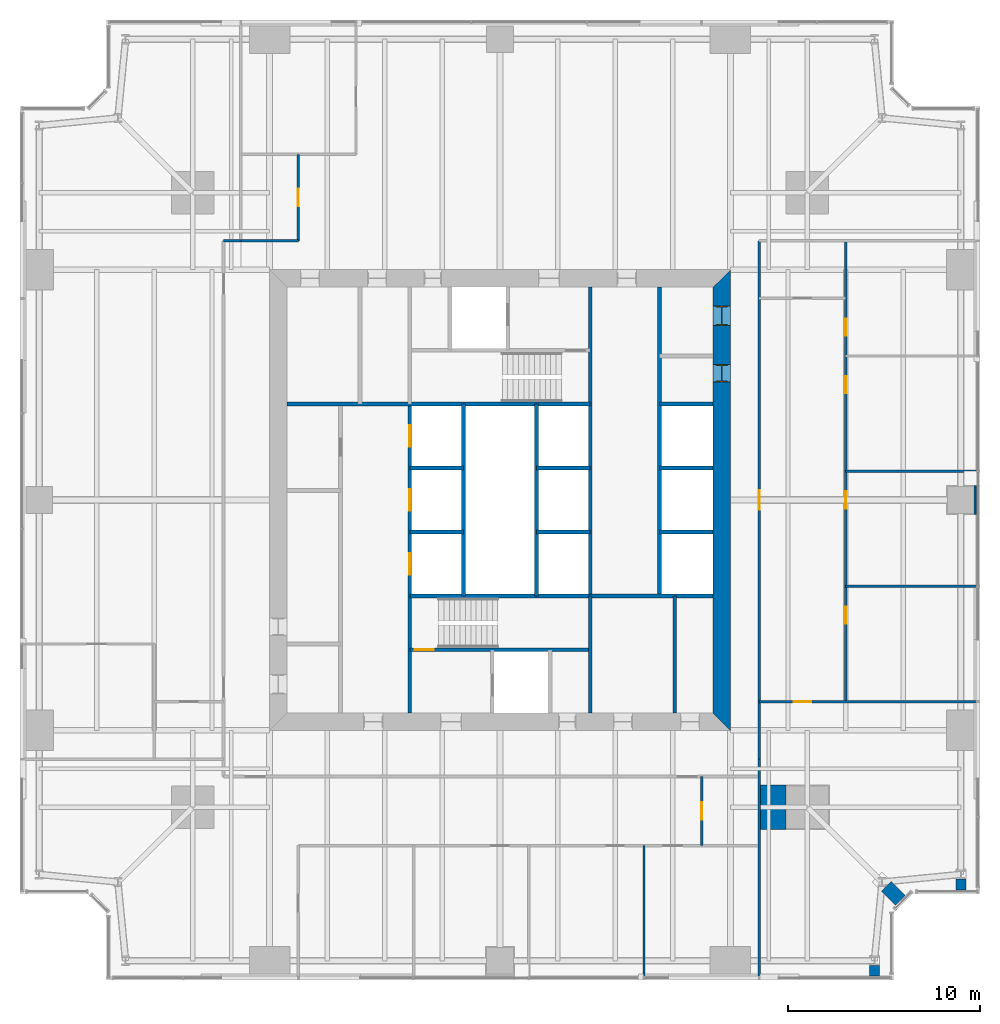
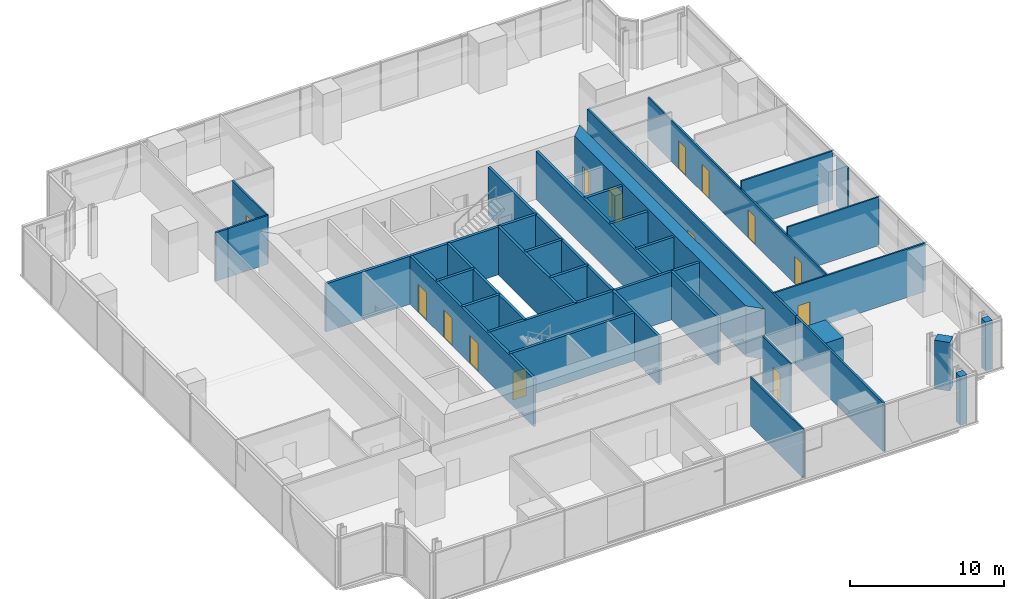
# One storey, part 10 of 13: 34 walls, 14 doors, 14 openings.
"""IFC4 building model written with IfcOpenShell, lengths in metres."""

from ifc_helpers import new_model, si_unit, direction, frame, frame_2d, origin, place, context, subcontext, project, spatial, polyline, rectangle, outline, extrude, material, layer, layer_set, type_object, element, fill, save


model = new_model("IFC4")

# Units and contexts
model_context = context("Model", 3, precision=1e-05, world=origin(), true_north=direction((0.0, 1.0)))
body_context = subcontext(model_context, "Body", "Model", "MODEL_VIEW")
ifc_project = project(units=[si_unit("LENGTHUNIT", "METRE"), si_unit("AREAUNIT", "SQUARE_METRE"), si_unit("VOLUMEUNIT", "CUBIC_METRE"), si_unit("PLANEANGLEUNIT", "RADIAN"), si_unit("MASSUNIT", "GRAM", prefix="KILO")], contexts=[model_context])

# Site, building, storey
site_placement = place(None, origin())
site = spatial("IfcSite", under=ifc_project, at=site_placement, CompositionType="ELEMENT")
building_placement = place(site_placement, origin())
building = spatial("IfcBuilding", under=site, at=building_placement, Name="Fenwick Lantern Interchange", CompositionType="ELEMENT")
storey_placement = place(building_placement, frame((0.0, 0.0, 126.39990234375)))
storey = spatial("IfcBuildingStorey", under=building, at=storey_placement, Name="L29", CompositionType="ELEMENT", Elevation=126.39990234375)

# Walls
ifc_material_1 = material(Name="Fire-rated gypsum board encasement on steel studs, 2 hour", Category="steel")
ifc_layer_1 = layer(ifc_material_1, 1.5)
ifc_layer_set_1 = layer_set([ifc_layer_1], Name="COLUMN PIER 1500")
wall_type_1 = type_object("IfcWallType", Name="COLUMN PIER 1500", PredefinedType="PARTITIONING", material=ifc_layer_set_1)
wall_1_placement = place(storey_placement, frame((49.800048828125, 25.0, 0.0), z_axis=(0.0, 0.0, 1.0), x_axis=(-1.0, 0.0, 0.0)))
element("IfcWall", 1, at=wall_1_placement, inside=storey, type_object=wall_type_1, Name="L29/W/PIER/CE3", PredefinedType="PARTITIONING", context=body_context, shape_type="SweptSolid", body=[
    extrude(rectangle(XDim=0.10009765625, YDim=1.5, at=frame_2d((0.050048828125, 0.0))), origin(), (0.0, 0.0, 1.0), 3.85009765625),
])
ifc_layer_2 = layer(ifc_material_1, 2.300048828125)
ifc_layer_set_2 = layer_set([ifc_layer_2], Name="COLUMN PIER 2300")
wall_type_2 = type_object("IfcWallType", Name="COLUMN PIER 2300", PredefinedType="PARTITIONING", material=ifc_layer_set_2)
wall_2_placement = place(storey_placement, frame((38.574951171875, 9.0, 0.0), z_axis=(0.0, 0.0, 1.0), x_axis=(1.0, 0.0, 0.0)))
element("IfcWall", 2, at=wall_2_placement, inside=storey, type_object=wall_type_2, Name="L29/W/PIER/M2", PredefinedType="PARTITIONING", context=body_context, shape_type="SweptSolid", body=[
    extrude(rectangle(XDim=1.324951171875, YDim=2.300048828125, at=frame_2d((0.66259765625, 0.0))), origin(), (0.0, 0.0, 1.0), 3.85009765625),
])
ifc_layer_3 = layer(ifc_material_1, 0.52392578125)
ifc_layer_set_3 = layer_set([ifc_layer_3], Name="COLUMN PIER 524")
wall_type_3 = type_object("IfcWallType", Name="COLUMN PIER 524", PredefinedType="PARTITIONING", material=ifc_layer_set_3)
for number, where, z_axis, x_axis, name in (
    (3, (44.5, 0.199951171875, 0.0), (0.0, 0.0, 1.0), (0.0, 1.0, 0.0), "L29/W/PIER/CS5"),
    (4, (49.0, 4.699951171875, 0.0), (0.0, 0.0, 1.0), (0.0, 1.0, 0.0), "L29/W/PIER/CE1"),
):
    element("IfcWall", number, at=place(storey_placement, frame(where, z_axis=z_axis, x_axis=x_axis)), inside=storey, type_object=wall_type_3, Name=name, PredefinedType="PARTITIONING", context=body_context, shape_type="SweptSolid", body=[
        extrude(rectangle(XDim=0.5625, YDim=0.52392578125, at=frame_2d((0.28125, 0.0))), origin(), (0.0, 0.0, 1.0), 3.85009765625),
    ])
ifc_layer_4 = layer(ifc_material_1, 0.736083984375)
ifc_layer_set_4 = layer_set([ifc_layer_4], Name="COLUMN PIER 736")
wall_type_4 = type_object("IfcWallType", Name="COLUMN PIER 736", PredefinedType="PARTITIONING", material=ifc_layer_set_4)
wall_3_placement = place(storey_placement, frame((45.858642578125, 4.141357421875, 0.0), z_axis=(0.0, 0.0, 1.0), x_axis=(-0.707106781187, 0.707106781187, 0.0)))
element("IfcWall", 5, at=wall_3_placement, inside=storey, type_object=wall_type_4, Name="L29/W/PIER/CSR", PredefinedType="PARTITIONING", context=body_context, shape_type="SweptSolid", body=[
    extrude(rectangle(XDim=1.037841796875, YDim=0.736083984375, at=frame_2d((0.51904296875, 0.0))), origin(), (0.0, 0.0, 1.0), 3.85009765625),
])
ifc_material_2 = material(Name="Concrete masonry ASTM C90 Grade N", Category="masonry")
ifc_layer_5 = layer(ifc_material_2, 0.199951171875)
ifc_layer_set_5 = layer_set([ifc_layer_5], Name="Concrete masonry ASTM C90 Grade N")
wall_type_5 = type_object("IfcWallType", Name="CORE PARTITION 200", PredefinedType="PARTITIONING", material=ifc_layer_set_5)
for number, where, z_axis, x_axis, name in (
    (6, (20.300048828125, 23.333251953125, 0.0), (0.0, 0.0, 1.0), (1.0, 0.0, 0.0), "L29/W/CORES/e1"),
    (7, (20.300048828125, 26.666748046875, 0.0), (0.0, 0.0, 1.0), (1.0, 0.0, 0.0), "L29/W/CORES/e2"),
):
    element("IfcWall", number, at=place(storey_placement, frame(where, z_axis=z_axis, x_axis=x_axis)), inside=storey, type_object=wall_type_5, Name=name, PredefinedType="PARTITIONING", context=body_context, shape_type="SweptSolid", body=[
        extrude(rectangle(XDim=2.800048828125, YDim=0.199951171875, at=frame_2d((1.39990234375, 0.0))), origin(), (0.0, 0.0, 1.0), 3.800048828125),
    ])
wall_4_placement = place(storey_placement, frame((23.10009765625, 20.0, 0.0), z_axis=(0.0, 0.0, 1.0), x_axis=(0.0, 1.0, 0.0)))
element("IfcWall", 8, at=wall_4_placement, inside=storey, type_object=wall_type_5, Name="L29/W/CORES/e3", PredefinedType="PARTITIONING", context=body_context, shape_type="SweptSolid", body=[
    extrude(rectangle(XDim=10.0, YDim=0.199951171875, at=frame_2d((5.0, 0.0))), origin(), (0.0, 0.0, 1.0), 3.800048828125),
])
wall_5_placement = place(storey_placement, frame((34.10009765625, 13.89990234375, 0.0), z_axis=(0.0, 0.0, 1.0), x_axis=(0.0, 1.0, 0.0)))
element("IfcWall", 9, at=wall_5_placement, inside=storey, type_object=wall_type_5, Name="L29/W/CORES/i2", PredefinedType="PARTITIONING", context=body_context, shape_type="SweptSolid", body=[
    extrude(rectangle(XDim=6.10009765625, YDim=0.199951171875, at=frame_2d((3.050048828125, 0.0))), origin(), (0.0, 0.0, 1.0), 3.800048828125),
])
wall_6_placement = place(storey_placement, frame((33.300048828125, 36.10009765625, 0.0), z_axis=(0.0, 0.0, 1.0), x_axis=(0.0, -1.0, 0.0)))
element("IfcWall", 10, at=wall_6_placement, inside=storey, type_object=wall_type_5, Name="L29/W/COREN/a", PredefinedType="PARTITIONING", context=body_context, shape_type="SweptSolid", body=[
    extrude(rectangle(XDim=16.10009765625, YDim=0.199951171875, at=frame_2d((8.050048828125, 0.0))), origin(), (0.0, 0.0, 1.0), 3.800048828125),
])
for number, where, z_axis, x_axis, name in (
    (11, (36.10009765625, 30.0, 0.0), (0.0, 0.0, 1.0), (-1.0, 0.0, 0.0), "L29/W/COREN/c2"),
    (12, (36.10009765625, 26.666748046875, 0.0), (0.0, 0.0, 1.0), (-1.0, 0.0, 0.0), "L29/W/COREN/d1"),
    (13, (36.10009765625, 23.333251953125, 0.0), (0.0, 0.0, 1.0), (-1.0, 0.0, 0.0), "L29/W/COREN/d2"),
    (14, (29.699951171875, 26.666748046875, 0.0), (0.0, 0.0, 1.0), (-1.0, 0.0, 0.0), "L29/W/COREN/e1"),
    (15, (29.699951171875, 23.333251953125, 0.0), (0.0, 0.0, 1.0), (-1.0, 0.0, 0.0), "L29/W/COREN/e2"),
):
    element("IfcWall", number, at=place(storey_placement, frame(where, z_axis=z_axis, x_axis=x_axis)), inside=storey, type_object=wall_type_5, Name=name, PredefinedType="PARTITIONING", context=body_context, shape_type="SweptSolid", body=[
        extrude(rectangle(XDim=2.800048828125, YDim=0.199951171875, at=frame_2d((1.39990234375, 0.0))), origin(), (0.0, 0.0, 1.0), 3.800048828125),
    ])
wall_7_placement = place(storey_placement, frame((26.89990234375, 30.0, 0.0), z_axis=(0.0, 0.0, 1.0), x_axis=(0.0, -1.0, 0.0)))
element("IfcWall", 16, at=wall_7_placement, inside=storey, type_object=wall_type_5, Name="L29/W/COREN/e3", PredefinedType="PARTITIONING", context=body_context, shape_type="SweptSolid", body=[
    extrude(rectangle(XDim=10.0, YDim=0.199951171875, at=frame_2d((5.0, 0.0))), origin(), (0.0, 0.0, 1.0), 3.800048828125),
])

# Wall, openings, doors
ifc_material_3 = material(Name="Concrete f'c 70 MPa", Category="concrete")
ifc_layer_6 = layer(ifc_material_3, 0.89990234375)
ifc_layer_set_6 = layer_set([ifc_layer_6], Name="CORE WALL 900")
wall_type_6 = type_object("IfcWallType", Name="CORE WALL 900", PredefinedType="SHEAR", material=ifc_layer_set_6)
wall_8_placement = place(storey_placement, frame((36.550048828125, 13.89990234375, 0.0), z_axis=(0.0, 0.0, 1.0), x_axis=(0.0, 1.0, 0.0)))
wall_8 = element("IfcWall", 17, at=wall_8_placement, inside=storey, type_object=wall_type_6, Name="L29/CORE/E", PredefinedType="SHEAR", context=body_context, shape_type="SweptSolid", body=[
    extrude(outline(polyline([(-0.89990234375, -0.449951171875), (23.10009765625, -0.449951171875), (22.199951171875, 0.449951171875), (0.0, 0.449951171875), (-0.89990234375, -0.449951171875)])), origin(), (0.0, 0.0, 1.0), 4.0),
])
opening_1_placement = place(wall_8_placement, frame((20.199951171875, 0.0, 0.0)))
opening_1 = element("IfcOpeningElement", 18, at=opening_1_placement, cuts=wall_8, Name="Opening L29-D016", PredefinedType="OPENING", context=body_context, shape_type="SweptSolid", body=[
    extrude(rectangle(XDim=1.0, YDim=2.199951171875, at=frame_2d((0.5, 1.10009765625))), frame((0.0, 0.4599609375, 0.0), z_axis=(0.0, -1.0, 0.0), x_axis=(1.0, 0.0, 0.0)), (0.0, 0.0, 1.0), 0.919921875),
])
opening_2_placement = place(wall_8_placement, frame((17.25, 0.0, 0.0)))
opening_2 = element("IfcOpeningElement", 19, at=opening_2_placement, cuts=wall_8, Name="Opening L29-D017", PredefinedType="OPENING", context=body_context, shape_type="SweptSolid", body=[
    extrude(rectangle(XDim=0.89990234375, YDim=2.199951171875, at=frame_2d((0.449951171875, 1.10009765625))), frame((0.0, 0.4599609375, 0.0), z_axis=(0.0, -1.0, 0.0), x_axis=(1.0, 0.0, 0.0)), (0.0, 0.0, 1.0), 0.919921875),
])
ifc_material_4 = material(Name="Steel door and frame", Category="steel")
door_type_1 = type_object("IfcDoorType", Name="SERVICE DOOR 900 X 2200", OperationType="SINGLE_SWING_LEFT", PredefinedType="DOOR", material=ifc_material_4)
door_1_placement = place(opening_2_placement, origin())
door_1 = element("IfcDoor", 20, at=door_1_placement, inside=storey, type_object=door_type_1, Name="Service door", OperationType="SINGLE_SWING_RIGHT", OverallHeight=2.199951171875, OverallWidth=0.89990234375, PredefinedType="DOOR", context=body_context, shape_type="SweptSolid", body=[
    extrude(rectangle(XDim=0.89990234375, YDim=2.199951171875, at=frame_2d((0.449951171875, 1.10009765625))), frame((0.0, 0.02490234375, 0.0), z_axis=(0.0, -1.0, 0.0), x_axis=(1.0, 0.0, 0.0)), (0.0, 0.0, 1.0), 0.050048828125),
    extrude(outline(polyline([(0.0, 0.0), (0.0400390625, 0.0), (0.0400390625, 2.159912109375), (0.85986328125, 2.159912109375), (0.85986328125, 0.0), (0.89990234375, 0.0), (0.89990234375, 2.199951171875), (0.0, 2.199951171875), (0.0, 0.0)])), frame((0.0, 0.300048828125, 0.0), z_axis=(0.0, -1.0, 0.0), x_axis=(1.0, 0.0, 0.0)), (0.0, 0.0, 1.0), 0.60009765625),
])
fill(opening_2, door_1)
ifc_material_5 = material(Name="Hardwood door and steel frame", Category="steel")
door_type_2 = type_object("IfcDoorType", Name="WC DOOR 1000 X 2200", OperationType="SINGLE_SWING_LEFT", PredefinedType="DOOR", material=ifc_material_5)
door_2_placement = place(opening_1_placement, origin())
door_2 = element("IfcDoor", 21, at=door_2_placement, inside=storey, type_object=door_type_2, Name="Wc door", OperationType="SINGLE_SWING_RIGHT", OverallHeight=2.199951171875, OverallWidth=1.0, PredefinedType="DOOR", context=body_context, shape_type="SweptSolid", body=[
    extrude(rectangle(XDim=1.0, YDim=2.199951171875, at=frame_2d((0.5, 1.10009765625))), frame((0.0, 0.02490234375, 0.0), z_axis=(0.0, -1.0, 0.0), x_axis=(1.0, 0.0, 0.0)), (0.0, 0.0, 1.0), 0.050048828125),
    extrude(outline(polyline([(0.0, 0.0), (0.0400390625, 0.0), (0.0400390625, 2.159912109375), (0.9599609375, 2.159912109375), (0.9599609375, 0.0), (1.0, 0.0), (1.0, 2.199951171875), (0.0, 2.199951171875), (0.0, 0.0)])), frame((0.0, 0.300048828125, 0.0), z_axis=(0.0, -1.0, 0.0), x_axis=(1.0, 0.0, 0.0)), (0.0, 0.0, 1.0), 0.60009765625),
])
fill(opening_1, door_2)

# Wall, opening, door
ifc_material_6 = material(Name="Gypsum board on steel studs, 1 hour", Category="steel")
ifc_layer_7 = layer(ifc_material_6, 0.14990234375)
ifc_layer_set_7 = layer_set([ifc_layer_7], Name="CORRIDOR WALL 150")
wall_type_7 = type_object("IfcWallType", Name="CORRIDOR WALL 150", PredefinedType="PARTITIONING", material=ifc_layer_set_7)
wall_9_placement = place(storey_placement, frame((38.5, 11.5, 0.0), z_axis=(0.0, 0.0, 1.0), x_axis=(0.0, 1.0, 0.0)))
wall_9 = element("IfcWall", 22, at=wall_9_placement, inside=storey, type_object=wall_type_7, Name="L29/W/OFF/E/CW", PredefinedType="PARTITIONING", context=body_context, shape_type="SweptSolid", body=[
    extrude(rectangle(XDim=27.0, YDim=0.14990234375, at=frame_2d((13.5, 0.0))), origin(), (0.0, 0.0, 1.0), 3.85009765625),
])
opening_3_placement = place(wall_9_placement, frame((13.0, 0.0, 0.0)))
opening_3 = element("IfcOpeningElement", 23, at=opening_3_placement, cuts=wall_9, Name="Opening L29-D025", PredefinedType="OPENING", context=body_context, shape_type="SweptSolid", body=[
    extrude(rectangle(XDim=1.0, YDim=2.199951171875, at=frame_2d((0.5, 1.10009765625))), frame((0.0, 0.0849609375, 0.0), z_axis=(0.0, -1.0, 0.0), x_axis=(1.0, 0.0, 0.0)), (0.0, 0.0, 1.0), 0.169921875),
])
door_type_3 = type_object("IfcDoorType", Name="SUITE ENTRANCE DOOR 1000 X 2200", OperationType="SINGLE_SWING_LEFT", PredefinedType="DOOR", material=ifc_material_4)
door_3_placement = place(opening_3_placement, frame((1.0, 0.0, 0.0), z_axis=(0.0, 0.0, 1.0), x_axis=(-1.0, 0.0, 0.0)))
door_3 = element("IfcDoor", 24, at=door_3_placement, inside=storey, type_object=door_type_3, Name="Suite entrance door", OperationType="SINGLE_SWING_RIGHT", OverallHeight=2.199951171875, OverallWidth=1.0, PredefinedType="DOOR", context=body_context, shape_type="SweptSolid", body=[
    extrude(rectangle(XDim=1.0, YDim=2.199951171875, at=frame_2d((0.5, 1.10009765625))), frame((0.0, 0.02490234375, 0.0), z_axis=(0.0, -1.0, 0.0), x_axis=(1.0, 0.0, 0.0)), (0.0, 0.0, 1.0), 0.050048828125),
])
fill(opening_3, door_3)

# Walls
wall_10_placement = place(storey_placement, frame((11.5, 38.5, 0.0), z_axis=(0.0, 0.0, 1.0), x_axis=(-1.0, 0.0, 0.0)))
element("IfcWall", 25, at=wall_10_placement, inside=storey, type_object=wall_type_7, Name="L29/W/OFF/W/CWJ", PredefinedType="PARTITIONING", context=body_context, shape_type="SweptSolid", body=[
    extrude(rectangle(XDim=0.89990234375, YDim=0.14990234375, at=frame_2d((0.449951171875, 0.0))), origin(), (0.0, 0.0, 1.0), 3.85009765625),
])
ifc_material_7 = material(Name="Gypsum board on steel studs, acoustic", Category="steel")
ifc_layer_8 = layer(ifc_material_7, 0.125)
ifc_layer_set_8 = layer_set([ifc_layer_8], Name="OFFICE PARTITION 125")
wall_type_8 = type_object("IfcWallType", Name="OFFICE PARTITION 125", PredefinedType="PARTITIONING", material=ifc_layer_set_8)
wall_11_placement = place(storey_placement, frame((32.5, 0.14990234375, 0.0), z_axis=(0.0, 0.0, 1.0), x_axis=(0.0, 1.0, 0.0)))
element("IfcWall", 26, at=wall_11_placement, inside=storey, type_object=wall_type_8, Name="L29/W/OFF/S/X325-1", PredefinedType="PARTITIONING", context=body_context, shape_type="SweptSolid", body=[
    extrude(rectangle(XDim=6.85009765625, YDim=0.125, at=frame_2d((3.425048828125, 0.0))), origin(), (0.0, 0.0, 1.0), 3.85009765625),
])

# Wall, opening, door
wall_12_placement = place(storey_placement, frame((35.5, 7.0, 0.0), z_axis=(0.0, 0.0, 1.0), x_axis=(0.0, 1.0, 0.0)))
wall_12 = element("IfcWall", 27, at=wall_12_placement, inside=storey, type_object=wall_type_8, Name="L29/W/OFF/S/X355-1", PredefinedType="PARTITIONING", context=body_context, shape_type="SweptSolid", body=[
    extrude(rectangle(XDim=3.60009765625, YDim=0.125, at=frame_2d((1.800048828125, 0.0))), origin(), (0.0, 0.0, 1.0), 3.85009765625),
])
opening_4_placement = place(wall_12_placement, frame((1.35009765625, 0.0, 0.0)))
opening_4 = element("IfcOpeningElement", 28, at=opening_4_placement, cuts=wall_12, Name="Opening L29-D024", PredefinedType="OPENING", context=body_context, shape_type="SweptSolid", body=[
    extrude(rectangle(XDim=0.89990234375, YDim=2.199951171875, at=frame_2d((0.449951171875, 1.10009765625))), frame((0.0, 0.072509765625, 0.0), z_axis=(0.0, -1.0, 0.0), x_axis=(1.0, 0.0, 0.0)), (0.0, 0.0, 1.0), 0.14501953125),
])
door_type_4 = type_object("IfcDoorType", Name="OFFICE DOOR 900 X 2200", OperationType="SINGLE_SWING_LEFT", PredefinedType="DOOR", material=ifc_material_5)
door_4_placement = place(opening_4_placement, frame((0.89990234375, 0.0, 0.0), z_axis=(0.0, 0.0, 1.0), x_axis=(-1.0, 0.0, 0.0)))
door_4 = element("IfcDoor", 29, at=door_4_placement, inside=storey, type_object=door_type_4, Name="Office door", OperationType="SINGLE_SWING_RIGHT", OverallHeight=2.199951171875, OverallWidth=0.89990234375, PredefinedType="DOOR", context=body_context, shape_type="SweptSolid", body=[
    extrude(rectangle(XDim=0.89990234375, YDim=2.199951171875, at=frame_2d((0.449951171875, 1.10009765625))), frame((0.0, 0.02490234375, 0.0), z_axis=(0.0, -1.0, 0.0), x_axis=(1.0, 0.0, 0.0)), (0.0, 0.0, 1.0), 0.050048828125),
])
fill(opening_4, door_4)

wall_13_placement = place(storey_placement, frame((49.85009765625, 14.5, 0.0), z_axis=(0.0, 0.0, 1.0), x_axis=(-1.0, 0.0, 0.0)))
wall_13 = element("IfcWall", 30, at=wall_13_placement, inside=storey, type_object=wall_type_8, Name="L29/W/OFF/E/X145-1", PredefinedType="PARTITIONING", context=body_context, shape_type="SweptSolid", body=[
    extrude(rectangle(XDim=11.35009765625, YDim=0.125, at=frame_2d((5.675048828125, 0.0))), origin(), (0.0, 0.0, 1.0), 3.85009765625),
])
opening_5_placement = place(wall_13_placement, frame((8.64990234375, 0.0, 0.0)))
opening_5 = element("IfcOpeningElement", 31, at=opening_5_placement, cuts=wall_13, Name="Opening L29-D026", PredefinedType="OPENING", context=body_context, shape_type="SweptSolid", body=[
    extrude(rectangle(XDim=0.89990234375, YDim=2.199951171875, at=frame_2d((0.449951171875, 1.10009765625))), frame((0.0, 0.072509765625, 0.0), z_axis=(0.0, -1.0, 0.0), x_axis=(1.0, 0.0, 0.0)), (0.0, 0.0, 1.0), 0.14501953125),
])
door_5_placement = place(opening_5_placement, frame((0.89990234375, 0.0, 0.0), z_axis=(0.0, 0.0, 1.0), x_axis=(-1.0, 0.0, 0.0)))
door_5 = element("IfcDoor", 32, at=door_5_placement, inside=storey, type_object=door_type_4, Name="Office door", OperationType="SINGLE_SWING_RIGHT", OverallHeight=2.199951171875, OverallWidth=0.89990234375, PredefinedType="DOOR", context=body_context, shape_type="SweptSolid", body=[
    extrude(rectangle(XDim=0.89990234375, YDim=2.199951171875, at=frame_2d((0.449951171875, 1.10009765625))), frame((0.0, 0.02490234375, 0.0), z_axis=(0.0, -1.0, 0.0), x_axis=(1.0, 0.0, 0.0)), (0.0, 0.0, 1.0), 0.050048828125),
])
fill(opening_5, door_5)

# Walls
for number, where, z_axis, x_axis, name in (
    (33, (49.85009765625, 20.5, 0.0), (0.0, 0.0, 1.0), (-1.0, 0.0, 0.0), "L29/W/OFF/E/X205-1"),
    (34, (49.85009765625, 26.5, 0.0), (0.0, 0.0, 1.0), (-1.0, 0.0, 0.0), "L29/W/OFF/E/X265-1"),
):
    element("IfcWall", number, at=place(storey_placement, frame(where, z_axis=z_axis, x_axis=x_axis)), inside=storey, type_object=wall_type_8, Name=name, PredefinedType="PARTITIONING", context=body_context, shape_type="SweptSolid", body=[
        extrude(rectangle(XDim=6.85009765625, YDim=0.125, at=frame_2d((3.425048828125, 0.0))), origin(), (0.0, 0.0, 1.0), 3.85009765625),
    ])

# Wall, openings, doors
wall_14_placement = place(storey_placement, frame((43.0, 14.5, 0.0), z_axis=(0.0, 0.0, 1.0), x_axis=(0.0, 1.0, 0.0)))
wall_14 = element("IfcWall", 35, at=wall_14_placement, inside=storey, type_object=wall_type_8, Name="L29/W/OFF/E/Y70-1", PredefinedType="PARTITIONING", context=body_context, shape_type="SweptSolid", body=[
    extrude(rectangle(XDim=24.0, YDim=0.125, at=frame_2d((12.0, 0.0))), origin(), (0.0, 0.0, 1.0), 3.238037109375),
])
opening_6_placement = place(wall_14_placement, frame((4.050048828125, 0.0, 0.0)))
opening_6 = element("IfcOpeningElement", 36, at=opening_6_placement, cuts=wall_14, Name="Opening L29-D027", PredefinedType="OPENING", context=body_context, shape_type="SweptSolid", body=[
    extrude(rectangle(XDim=0.89990234375, YDim=2.199951171875, at=frame_2d((0.449951171875, 1.10009765625))), frame((0.0, 0.072509765625, 0.0), z_axis=(0.0, -1.0, 0.0), x_axis=(1.0, 0.0, 0.0)), (0.0, 0.0, 1.0), 0.14501953125),
])
opening_7_placement = place(wall_14_placement, frame((10.050048828125, 0.0, 0.0)))
opening_7 = element("IfcOpeningElement", 37, at=opening_7_placement, cuts=wall_14, Name="Opening L29-D028", PredefinedType="OPENING", context=body_context, shape_type="SweptSolid", body=[
    extrude(rectangle(XDim=0.89990234375, YDim=2.199951171875, at=frame_2d((0.449951171875, 1.10009765625))), frame((0.0, 0.072509765625, 0.0), z_axis=(0.0, -1.0, 0.0), x_axis=(1.0, 0.0, 0.0)), (0.0, 0.0, 1.0), 0.14501953125),
])
opening_8_placement = place(wall_14_placement, frame((16.050048828125, 0.0, 0.0)))
opening_8 = element("IfcOpeningElement", 38, at=opening_8_placement, cuts=wall_14, Name="Opening L29-D029", PredefinedType="OPENING", context=body_context, shape_type="SweptSolid", body=[
    extrude(rectangle(XDim=0.89990234375, YDim=2.199951171875, at=frame_2d((0.449951171875, 1.10009765625))), frame((0.0, 0.072509765625, 0.0), z_axis=(0.0, -1.0, 0.0), x_axis=(1.0, 0.0, 0.0)), (0.0, 0.0, 1.0), 0.14501953125),
])
opening_9_placement = place(wall_14_placement, frame((19.050048828125, 0.0, 0.0)))
opening_9 = element("IfcOpeningElement", 39, at=opening_9_placement, cuts=wall_14, Name="Opening L29-D030", PredefinedType="OPENING", context=body_context, shape_type="SweptSolid", body=[
    extrude(rectangle(XDim=0.89990234375, YDim=2.199951171875, at=frame_2d((0.449951171875, 1.10009765625))), frame((0.0, 0.072509765625, 0.0), z_axis=(0.0, -1.0, 0.0), x_axis=(1.0, 0.0, 0.0)), (0.0, 0.0, 1.0), 0.14501953125),
])
door_6_placement = place(opening_6_placement, frame((0.89990234375, 0.0, 0.0), z_axis=(0.0, 0.0, 1.0), x_axis=(-1.0, 0.0, 0.0)))
door_6 = element("IfcDoor", 40, at=door_6_placement, inside=storey, type_object=door_type_4, Name="Office door", OperationType="SINGLE_SWING_LEFT", OverallHeight=2.199951171875, OverallWidth=0.89990234375, PredefinedType="DOOR", context=body_context, shape_type="SweptSolid", body=[
    extrude(rectangle(XDim=0.89990234375, YDim=2.199951171875, at=frame_2d((0.449951171875, 1.10009765625))), frame((0.0, 0.02490234375, 0.0), z_axis=(0.0, -1.0, 0.0), x_axis=(1.0, 0.0, 0.0)), (0.0, 0.0, 1.0), 0.050048828125),
])
fill(opening_6, door_6)
door_7_placement = place(opening_7_placement, frame((0.89990234375, 0.0, 0.0), z_axis=(0.0, 0.0, 1.0), x_axis=(-1.0, 0.0, 0.0)))
door_7 = element("IfcDoor", 41, at=door_7_placement, inside=storey, type_object=door_type_4, Name="Office door", OperationType="SINGLE_SWING_LEFT", OverallHeight=2.199951171875, OverallWidth=0.89990234375, PredefinedType="DOOR", context=body_context, shape_type="SweptSolid", body=[
    extrude(rectangle(XDim=0.89990234375, YDim=2.199951171875, at=frame_2d((0.449951171875, 1.10009765625))), frame((0.0, 0.02490234375, 0.0), z_axis=(0.0, -1.0, 0.0), x_axis=(1.0, 0.0, 0.0)), (0.0, 0.0, 1.0), 0.050048828125),
])
fill(opening_7, door_7)
door_8_placement = place(opening_8_placement, frame((0.89990234375, 0.0, 0.0), z_axis=(0.0, 0.0, 1.0), x_axis=(-1.0, 0.0, 0.0)))
door_8 = element("IfcDoor", 42, at=door_8_placement, inside=storey, type_object=door_type_4, Name="Office door", OperationType="SINGLE_SWING_LEFT", OverallHeight=2.199951171875, OverallWidth=0.89990234375, PredefinedType="DOOR", context=body_context, shape_type="SweptSolid", body=[
    extrude(rectangle(XDim=0.89990234375, YDim=2.199951171875, at=frame_2d((0.449951171875, 1.10009765625))), frame((0.0, 0.02490234375, 0.0), z_axis=(0.0, -1.0, 0.0), x_axis=(1.0, 0.0, 0.0)), (0.0, 0.0, 1.0), 0.050048828125),
])
fill(opening_8, door_8)
door_9_placement = place(opening_9_placement, frame((0.89990234375, 0.0, 0.0), z_axis=(0.0, 0.0, 1.0), x_axis=(-1.0, 0.0, 0.0)))
door_9 = element("IfcDoor", 43, at=door_9_placement, inside=storey, type_object=door_type_4, Name="Office door", OperationType="SINGLE_SWING_RIGHT", OverallHeight=2.199951171875, OverallWidth=0.89990234375, PredefinedType="DOOR", context=body_context, shape_type="SweptSolid", body=[
    extrude(rectangle(XDim=0.89990234375, YDim=2.199951171875, at=frame_2d((0.449951171875, 1.10009765625))), frame((0.0, 0.02490234375, 0.0), z_axis=(0.0, -1.0, 0.0), x_axis=(1.0, 0.0, 0.0)), (0.0, 0.0, 1.0), 0.050048828125),
])
fill(opening_9, door_9)

# Wall, opening, door
wall_15_placement = place(storey_placement, frame((14.5, 43.0, 0.0), z_axis=(0.0, 0.0, 1.0), x_axis=(0.0, -1.0, 0.0)))
wall_15 = element("IfcWall", 44, at=wall_15_placement, inside=storey, type_object=wall_type_8, Name="L29/W/OFF/N/X355-1", PredefinedType="PARTITIONING", context=body_context, shape_type="SweptSolid", body=[
    extrude(rectangle(XDim=4.5, YDim=0.125, at=frame_2d((2.25, 0.0))), origin(), (0.0, 0.0, 1.0), 3.85009765625),
])
opening_10_placement = place(wall_15_placement, frame((1.800048828125, 0.0, 0.0)))
opening_10 = element("IfcOpeningElement", 45, at=opening_10_placement, cuts=wall_15, Name="Opening L29-D033", PredefinedType="OPENING", context=body_context, shape_type="SweptSolid", body=[
    extrude(rectangle(XDim=0.89990234375, YDim=2.199951171875, at=frame_2d((0.449951171875, 1.10009765625))), frame((0.0, 0.072509765625, 0.0), z_axis=(0.0, -1.0, 0.0), x_axis=(1.0, 0.0, 0.0)), (0.0, 0.0, 1.0), 0.14501953125),
])
door_10_placement = place(opening_10_placement, frame((0.89990234375, 0.0, 0.0), z_axis=(0.0, 0.0, 1.0), x_axis=(-1.0, 0.0, 0.0)))
door_10 = element("IfcDoor", 46, at=door_10_placement, inside=storey, type_object=door_type_4, Name="Office door", OperationType="SINGLE_SWING_RIGHT", OverallHeight=2.199951171875, OverallWidth=0.89990234375, PredefinedType="DOOR", context=body_context, shape_type="SweptSolid", body=[
    extrude(rectangle(XDim=0.89990234375, YDim=2.199951171875, at=frame_2d((0.449951171875, 1.10009765625))), frame((0.0, 0.02490234375, 0.0), z_axis=(0.0, -1.0, 0.0), x_axis=(1.0, 0.0, 0.0)), (0.0, 0.0, 1.0), 0.050048828125),
])
fill(opening_10, door_10)

# Wall
wall_16_placement = place(storey_placement, frame((14.5, 38.5, 0.0), z_axis=(0.0, 0.0, 1.0), x_axis=(-1.0, 0.0, 0.0)))
element("IfcWall", 47, at=wall_16_placement, inside=storey, type_object=wall_type_8, Name="L29/W/OFF/N/CWS1", PredefinedType="PARTITIONING", context=body_context, shape_type="SweptSolid", body=[
    extrude(rectangle(XDim=3.0, YDim=0.125, at=frame_2d((1.5, 0.0))), origin(), (0.0, 0.0, 1.0), 3.85009765625),
])

# Wall, openings, doors
ifc_material_8 = material(Name="Concrete f'c 45 MPa", Category="concrete")
ifc_layer_9 = layer(ifc_material_8, 0.199951171875)
ifc_layer_set_9 = layer_set([ifc_layer_9], Name="STAIR CORE WALL 200")
wall_type_9 = type_object("IfcWallType", Name="STAIR CORE WALL 200", PredefinedType="SOLIDWALL", material=ifc_layer_set_9)
wall_17_placement = place(storey_placement, frame((20.300048828125, 13.89990234375, 0.0), z_axis=(0.0, 0.0, 1.0), x_axis=(0.0, 1.0, 0.0)))
wall_17 = element("IfcWall", 48, at=wall_17_placement, inside=storey, type_object=wall_type_9, Name="L29/W/CORES/b", PredefinedType="SOLIDWALL", context=body_context, shape_type="SweptSolid", body=[
    extrude(rectangle(XDim=16.10009765625, YDim=0.199951171875, at=frame_2d((8.050048828125, 0.0))), origin(), (0.0, 0.0, 1.0), 3.800048828125),
])
opening_11_placement = place(wall_17_placement, frame((7.216552734375, 0.0, 0.0)))
opening_11 = element("IfcOpeningElement", 49, at=opening_11_placement, cuts=wall_17, Name="Opening LD-W2-1", PredefinedType="OPENING", context=body_context, shape_type="SweptSolid", body=[
    extrude(rectangle(XDim=1.10009765625, YDim=2.199951171875, at=frame_2d((0.550048828125, 1.10009765625))), frame((0.0, 0.10986328125, 0.0), z_axis=(0.0, -1.0, 0.0), x_axis=(1.0, 0.0, 0.0)), (0.0, 0.0, 1.0), 0.219970703125),
])
opening_12_placement = place(wall_17_placement, frame((10.550048828125, 0.0, 0.0)))
opening_12 = element("IfcOpeningElement", 50, at=opening_12_placement, cuts=wall_17, Name="Opening LD-W2-2", PredefinedType="OPENING", context=body_context, shape_type="SweptSolid", body=[
    extrude(rectangle(XDim=1.10009765625, YDim=2.199951171875, at=frame_2d((0.550048828125, 1.10009765625))), frame((0.0, 0.10986328125, 0.0), z_axis=(0.0, -1.0, 0.0), x_axis=(1.0, 0.0, 0.0)), (0.0, 0.0, 1.0), 0.219970703125),
])
opening_13_placement = place(wall_17_placement, frame((13.88330078125, 0.0, 0.0)))
opening_13 = element("IfcOpeningElement", 51, at=opening_13_placement, cuts=wall_17, Name="Opening LD-W2-3", PredefinedType="OPENING", context=body_context, shape_type="SweptSolid", body=[
    extrude(rectangle(XDim=1.10009765625, YDim=2.199951171875, at=frame_2d((0.550048828125, 1.10009765625))), frame((0.0, 0.10986328125, 0.0), z_axis=(0.0, -1.0, 0.0), x_axis=(1.0, 0.0, 0.0)), (0.0, 0.0, 1.0), 0.219970703125),
])
door_type_5 = type_object("IfcDoorType", Name="LIFT LANDING DOOR 1100 X 2200", OperationType="DOUBLE_DOOR_SLIDING", PredefinedType="DOOR", material=ifc_material_4)
door_11_placement = place(opening_11_placement, origin())
door_11 = element("IfcDoor", 52, at=door_11_placement, inside=storey, type_object=door_type_5, Name="Lift landing door W2-1", OperationType="DOUBLE_DOOR_SLIDING", OverallHeight=2.199951171875, OverallWidth=1.10009765625, PredefinedType="DOOR", context=body_context, shape_type="SweptSolid", body=[
    extrude(rectangle(XDim=1.10009765625, YDim=2.199951171875, at=frame_2d((0.550048828125, 1.10009765625))), frame((0.0, 0.02490234375, 0.0), z_axis=(0.0, -1.0, 0.0), x_axis=(1.0, 0.0, 0.0)), (0.0, 0.0, 1.0), 0.050048828125),
])
fill(opening_11, door_11)
door_12_placement = place(opening_12_placement, origin())
door_12 = element("IfcDoor", 53, at=door_12_placement, inside=storey, type_object=door_type_5, Name="Lift landing door W2-2", OperationType="DOUBLE_DOOR_SLIDING", OverallHeight=2.199951171875, OverallWidth=1.10009765625, PredefinedType="DOOR", context=body_context, shape_type="SweptSolid", body=[
    extrude(rectangle(XDim=1.10009765625, YDim=2.199951171875, at=frame_2d((0.550048828125, 1.10009765625))), frame((0.0, 0.02490234375, 0.0), z_axis=(0.0, -1.0, 0.0), x_axis=(1.0, 0.0, 0.0)), (0.0, 0.0, 1.0), 0.050048828125),
])
fill(opening_12, door_12)
door_13_placement = place(opening_13_placement, origin())
door_13 = element("IfcDoor", 54, at=door_13_placement, inside=storey, type_object=door_type_5, Name="Lift landing door W2-3", OperationType="DOUBLE_DOOR_SLIDING", OverallHeight=2.199951171875, OverallWidth=1.10009765625, PredefinedType="DOOR", context=body_context, shape_type="SweptSolid", body=[
    extrude(rectangle(XDim=1.10009765625, YDim=2.199951171875, at=frame_2d((0.550048828125, 1.10009765625))), frame((0.0, 0.02490234375, 0.0), z_axis=(0.0, -1.0, 0.0), x_axis=(1.0, 0.0, 0.0)), (0.0, 0.0, 1.0), 0.050048828125),
])
fill(opening_13, door_13)

# Wall, opening, door
wall_18_placement = place(storey_placement, frame((20.300048828125, 17.199951171875, 0.0), z_axis=(0.0, 0.0, 1.0), x_axis=(1.0, 0.0, 0.0)))
wall_18 = element("IfcWall", 55, at=wall_18_placement, inside=storey, type_object=wall_type_9, Name="L29/W/CORES/g1", PredefinedType="SOLIDWALL", context=body_context, shape_type="SweptSolid", body=[
    extrude(rectangle(XDim=9.39990234375, YDim=0.199951171875, at=frame_2d((4.699951171875, 0.0))), origin(), (0.0, 0.0, 1.0), 3.800048828125),
])
opening_14_placement = place(wall_18_placement, frame((0.25, 0.0, 0.0)))
opening_14 = element("IfcOpeningElement", 56, at=opening_14_placement, cuts=wall_18, Name="Opening L29-D003", PredefinedType="OPENING", context=body_context, shape_type="SweptSolid", body=[
    extrude(rectangle(XDim=1.0, YDim=2.199951171875, at=frame_2d((0.5, 1.10009765625))), frame((0.0, 0.10986328125, 0.0), z_axis=(0.0, -1.0, 0.0), x_axis=(1.0, 0.0, 0.0)), (0.0, 0.0, 1.0), 0.219970703125),
])
door_type_6 = type_object("IfcDoorType", Name="STAIR DOOR 1000 X 2200", OperationType="SINGLE_SWING_LEFT", PredefinedType="DOOR", material=ifc_material_4)
door_14_placement = place(opening_14_placement, origin())
door_14 = element("IfcDoor", 57, at=door_14_placement, inside=storey, type_object=door_type_6, Name="Stair door", OperationType="SINGLE_SWING_LEFT", OverallHeight=2.199951171875, OverallWidth=1.0, PredefinedType="DOOR", context=body_context, shape_type="SweptSolid", body=[
    extrude(rectangle(XDim=1.0, YDim=2.199951171875, at=frame_2d((0.5, 1.10009765625))), frame((0.0, 0.02490234375, 0.0), z_axis=(0.0, -1.0, 0.0), x_axis=(1.0, 0.0, 0.0)), (0.0, 0.0, 1.0), 0.050048828125),
])
fill(opening_14, door_14)

# Walls
wall_19_placement = place(storey_placement, frame((20.300048828125, 20.0, 0.0), z_axis=(0.0, 0.0, 1.0), x_axis=(1.0, 0.0, 0.0)))
element("IfcWall", 58, at=wall_19_placement, inside=storey, type_object=wall_type_9, Name="L29/W/CORES/g2", PredefinedType="SOLIDWALL", context=body_context, shape_type="SweptSolid", body=[
    extrude(rectangle(XDim=15.800048828125, YDim=0.199951171875, at=frame_2d((7.89990234375, 0.0))), origin(), (0.0, 0.0, 1.0), 3.800048828125),
])
wall_20_placement = place(storey_placement, frame((29.699951171875, 13.89990234375, 0.0), z_axis=(0.0, 0.0, 1.0), x_axis=(0.0, 1.0, 0.0)))
element("IfcWall", 59, at=wall_20_placement, inside=storey, type_object=wall_type_9, Name="L29/W/CORES/i1", PredefinedType="SOLIDWALL", context=body_context, shape_type="SweptSolid", body=[
    extrude(rectangle(XDim=6.10009765625, YDim=0.199951171875, at=frame_2d((3.050048828125, 0.0))), origin(), (0.0, 0.0, 1.0), 3.800048828125),
])
wall_21_placement = place(storey_placement, frame((29.699951171875, 36.10009765625, 0.0), z_axis=(0.0, 0.0, 1.0), x_axis=(0.0, -1.0, 0.0)))
element("IfcWall", 60, at=wall_21_placement, inside=storey, type_object=wall_type_9, Name="L29/W/COREN/b", PredefinedType="SOLIDWALL", context=body_context, shape_type="SweptSolid", body=[
    extrude(rectangle(XDim=16.10009765625, YDim=0.199951171875, at=frame_2d((8.050048828125, 0.0))), origin(), (0.0, 0.0, 1.0), 3.800048828125),
])
wall_22_placement = place(storey_placement, frame((29.699951171875, 30.0, 0.0), z_axis=(0.0, 0.0, 1.0), x_axis=(-1.0, 0.0, 0.0)))
element("IfcWall", 61, at=wall_22_placement, inside=storey, type_object=wall_type_9, Name="L29/W/COREN/g2", PredefinedType="SOLIDWALL", context=body_context, shape_type="SweptSolid", body=[
    extrude(rectangle(XDim=15.800048828125, YDim=0.199951171875, at=frame_2d((7.89990234375, 0.0))), origin(), (0.0, 0.0, 1.0), 3.800048828125),
])
ifc_material_9 = material(Name="Gypsum board on steel studs, 1 hour acoustic", Category="steel")
ifc_layer_10 = layer(ifc_material_9, 0.14990234375)
ifc_layer_set_10 = layer_set([ifc_layer_10], Name="TENANT WALL 150")
wall_type_10 = type_object("IfcWallType", Name="TENANT WALL 150", PredefinedType="PARTITIONING", material=ifc_layer_set_10)
wall_23_placement = place(storey_placement, frame((38.5, 0.14990234375, 0.0), z_axis=(0.0, 0.0, 1.0), x_axis=(0.0, 1.0, 0.0)))
element("IfcWall", 62, at=wall_23_placement, inside=storey, type_object=wall_type_10, Name="L29/W/OFF/E/BACK", PredefinedType="PARTITIONING", context=body_context, shape_type="SweptSolid", body=[
    extrude(rectangle(XDim=11.35009765625, YDim=0.14990234375, at=frame_2d((5.675048828125, 0.0))), origin(), (0.0, 0.0, 1.0), 3.85009765625),
])

save(model, "model.ifc")
